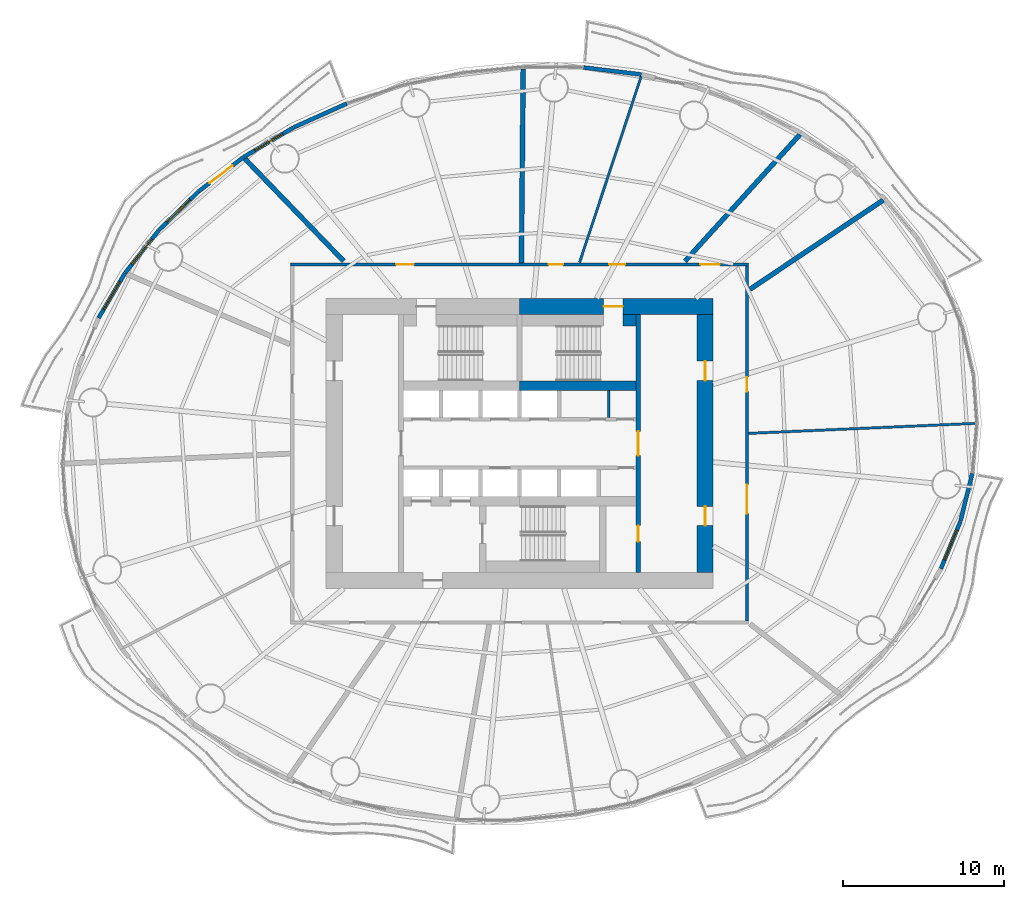
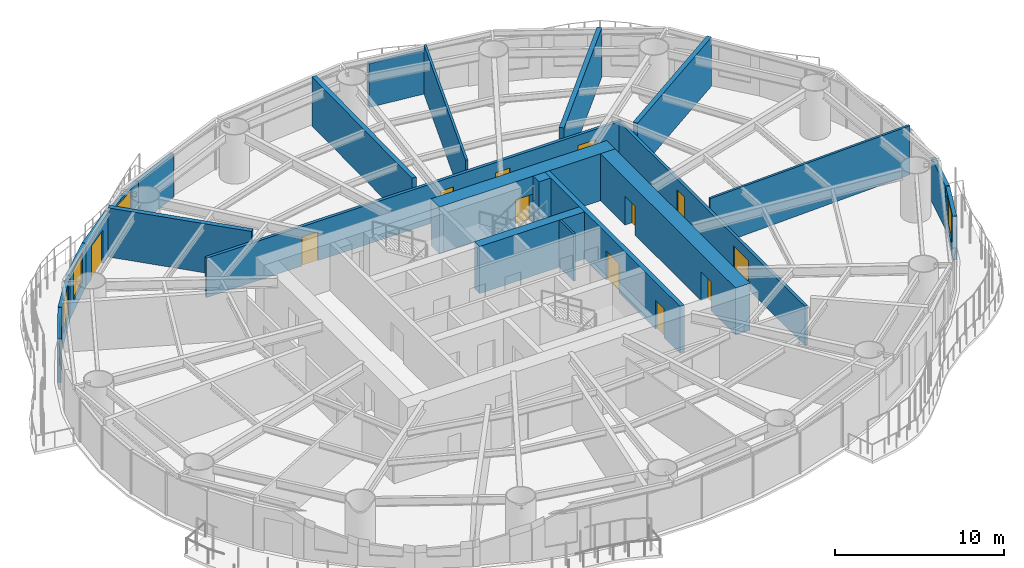
# One storey, part 10 of 16: 23 walls, 12 doors, 5 windows, 17 openings.
"""IFC4 building model written with IfcOpenShell, lengths in metres."""

from ifc_helpers import new_model, si_unit, direction, frame, frame_2d, origin, place, context, subcontext, project, spatial, rectangle, extrude, material, layer, layer_set, type_object, element, fill, save


model = new_model("IFC4")

# Units and contexts
model_context = context("Model", 3, precision=1e-05, world=origin(), true_north=direction((0.0, 1.0)))
body_context = subcontext(model_context, "Body", "Model", "MODEL_VIEW")
ifc_project = project(units=[si_unit("LENGTHUNIT", "METRE"), si_unit("AREAUNIT", "SQUARE_METRE"), si_unit("VOLUMEUNIT", "CUBIC_METRE"), si_unit("PLANEANGLEUNIT", "RADIAN"), si_unit("MASSUNIT", "GRAM", prefix="KILO")], contexts=[model_context])

# Site, building, storey
site_placement = place(None, origin())
site = spatial("IfcSite", under=ifc_project, at=site_placement, CompositionType="ELEMENT")
building_placement = place(site_placement, origin())
building = spatial("IfcBuilding", under=site, at=building_placement, Name="Vermilion Reach Broadcast Tower", CompositionType="ELEMENT")
storey_placement = place(building_placement, frame((0.0, 0.0, 69.300048828125)))
storey = spatial("IfcBuildingStorey", under=building, at=storey_placement, Name="L14", CompositionType="ELEMENT", Elevation=69.300048828125)

# Wall, openings, doors
ifc_material_1 = material(Name="Concrete C70", Category="concrete")
ifc_layer_1 = layer(ifc_material_1, 0.300048828125)
ifc_layer_set_1 = layer_set([ifc_layer_1], Name="Core inner wall 300 mm Concrete C70")
wall_type_1 = type_object("IfcWallType", Name="Core inner wall 300 mm Concrete C70", PredefinedType="SHEAR", material=ifc_layer_set_1)
wall_1_placement = place(storey_placement, frame((1.35009765625, -8.0, 0.0), z_axis=(0.0, 0.0, 1.0), x_axis=(0.0, 1.0, 0.0)))
wall_1 = element("IfcWall", 1, at=wall_1_placement, inside=storey, type_object=wall_type_1, Name="L14 core wall ewE", PredefinedType="SHEAR", context=body_context, shape_type="SweptSolid", body=[
    extrude(rectangle(XDim=16.0, YDim=0.300048828125, at=frame_2d((8.0, 0.0))), origin(), (0.0, 0.0, 1.0), 3.39990234375),
])
opening_1_placement = place(wall_1_placement, frame((1.909912109375, 0.0, 0.0)))
opening_1 = element("IfcOpeningElement", 2, at=opening_1_placement, cuts=wall_1, Name="Opening D05", PredefinedType="OPENING", context=body_context, shape_type="SweptSolid", body=[
    extrude(rectangle(XDim=1.0, YDim=2.10009765625, at=frame_2d((0.5, 1.050048828125))), frame((0.0, 0.159912109375, 0.0), z_axis=(0.0, -1.0, 0.0), x_axis=(1.0, 0.0, 0.0)), (0.0, 0.0, 1.0), 0.320068359375),
])
opening_2_placement = place(wall_1_placement, frame((7.25, 0.0, 0.0)))
opening_2 = element("IfcOpeningElement", 3, at=opening_2_placement, cuts=wall_1, Name="Opening D04", PredefinedType="OPENING", context=body_context, shape_type="SweptSolid", body=[
    extrude(rectangle(XDim=1.5, YDim=2.10009765625, at=frame_2d((0.75, 1.050048828125))), frame((0.0, 0.159912109375, 0.0), z_axis=(0.0, -1.0, 0.0), x_axis=(1.0, 0.0, 0.0)), (0.0, 0.0, 1.0), 0.320068359375),
])
ifc_material_2 = material(Name="Painted steel fire door", Category="steel")
door_type_1 = type_object("IfcDoorType", Name="Lift lobby door 1500 x 2100", OperationType="DOUBLE_DOOR_SINGLE_SWING", PredefinedType="NOTDEFINED", material=ifc_material_2)
door_1_placement = place(opening_2_placement, origin())
door_1 = element("IfcDoor", 4, at=door_1_placement, inside=storey, type_object=door_type_1, Name="L14 band door BE", OperationType="DOUBLE_DOOR_SINGLE_SWING", OverallHeight=2.10009765625, OverallWidth=1.5, PredefinedType="NOTDEFINED", context=body_context, shape_type="SweptSolid", body=[
    extrude(rectangle(XDim=1.5, YDim=2.10009765625, at=frame_2d((0.75, 1.050048828125))), frame((0.0, 0.02490234375, 0.0), z_axis=(0.0, -1.0, 0.0), x_axis=(1.0, 0.0, 0.0)), (0.0, 0.0, 1.0), 0.050048828125),
])
fill(opening_2, door_1)
ifc_material_3 = material(Name="Timber door", Category="wood")
door_type_2 = type_object("IfcDoorType", Name="Room door 1000 x 2100", OperationType="NOTDEFINED", PredefinedType="NOTDEFINED", material=ifc_material_3)
door_2_placement = place(opening_1_placement, origin())
door_2 = element("IfcDoor", 5, at=door_2_placement, inside=storey, type_object=door_type_2, Name="L14 door SER", OperationType="SINGLE_SWING_LEFT", OverallHeight=2.10009765625, OverallWidth=1.0, PredefinedType="NOTDEFINED", context=body_context, shape_type="SweptSolid", body=[
    extrude(rectangle(XDim=1.0, YDim=2.10009765625, at=frame_2d((0.5, 1.050048828125))), frame((0.0, 0.02490234375, 0.0), z_axis=(0.0, -1.0, 0.0), x_axis=(1.0, 0.0, 0.0)), (0.0, 0.0, 1.0), 0.050048828125),
])
fill(opening_1, door_2)

# Wall
ifc_material_4 = material(Name="Concrete C70", Category="concrete")
ifc_layer_2 = layer(ifc_material_4, 0.60009765625)
ifc_layer_set_2 = layer_set([ifc_layer_2], Name="Core inner wall 600 mm Concrete C70")
wall_type_2 = type_object("IfcWallType", Name="Core inner wall 600 mm Concrete C70", PredefinedType="SHEAR", material=ifc_layer_set_2)
wall_2_placement = place(storey_placement, frame((-6.0, 3.580078125, 0.0), z_axis=(0.0, 0.0, 1.0), x_axis=(1.0, 0.0, 0.0)))
element("IfcWall", 6, at=wall_2_placement, inside=storey, type_object=wall_type_2, Name="L14 core wall winE", PredefinedType="SHEAR", context=body_context, shape_type="SweptSolid", body=[
    extrude(rectangle(XDim=7.199951171875, YDim=0.60009765625, at=frame_2d((3.60009765625, 0.0))), origin(), (0.0, 0.0, 1.0), 3.39990234375),
])

# Wall, opening, door
ifc_material_5 = material(Name="Concrete C70", Category="concrete")
ifc_layer_3 = layer(ifc_material_5, 1.0)
ifc_layer_set_3 = layer_set([ifc_layer_3], Name="Core outer wall 1000 mm Concrete C70")
wall_type_3 = type_object("IfcWallType", Name="Core outer wall 1000 mm Concrete C70", PredefinedType="SHEAR", material=ifc_layer_set_3)
wall_3_placement = place(storey_placement, frame((6.0, 8.5, 0.0), z_axis=(0.0, 0.0, 1.0), x_axis=(-1.0, 0.0, 0.0)))
wall_3 = element("IfcWall", 7, at=wall_3_placement, inside=storey, type_object=wall_type_3, Name="L14 core wall onE", PredefinedType="SHEAR", context=body_context, shape_type="SweptSolid", body=[
    extrude(rectangle(XDim=12.0, YDim=1.0, at=frame_2d((6.0, 0.0))), origin(), (0.0, 0.0, 1.0), 3.39990234375),
])
opening_3_placement = place(wall_3_placement, frame((5.60009765625, 0.0, 0.0)))
opening_3 = element("IfcOpeningElement", 8, at=opening_3_placement, cuts=wall_3, Name="Opening D01", PredefinedType="OPENING", context=body_context, shape_type="SweptSolid", body=[
    extrude(rectangle(XDim=1.199951171875, YDim=2.10009765625, at=frame_2d((0.60009765625, 1.050048828125))), frame((0.0, 0.510009765625, 0.0), z_axis=(0.0, -1.0, 0.0), x_axis=(1.0, 0.0, 0.0)), (0.0, 0.0, 1.0), 1.02001953125),
])
ifc_material_6 = material(Name="Painted steel fire door", Category="steel")
door_type_3 = type_object("IfcDoorType", Name="Stair door 1200 x 2100", OperationType="DOUBLE_DOOR_SINGLE_SWING", PredefinedType="NOTDEFINED", material=ifc_material_6)
door_3_placement = place(opening_3_placement, origin())
door_3 = element("IfcDoor", 9, at=door_3_placement, inside=storey, type_object=door_type_3, Name="L14 stair door ST2", OperationType="DOUBLE_DOOR_SINGLE_SWING", OverallHeight=2.10009765625, OverallWidth=1.199951171875, PredefinedType="NOTDEFINED", context=body_context, shape_type="SweptSolid", body=[
    extrude(rectangle(XDim=1.199951171875, YDim=2.10009765625, at=frame_2d((0.60009765625, 1.050048828125))), frame((0.0, 0.02490234375, 0.0), z_axis=(0.0, -1.0, 0.0), x_axis=(1.0, 0.0, 0.0)), (0.0, 0.0, 1.0), 0.050048828125),
])
fill(opening_3, door_3)

# Wall, openings, doors
wall_4_placement = place(storey_placement, frame((5.5, -8.0, 0.0), z_axis=(0.0, 0.0, 1.0), x_axis=(0.0, 1.0, 0.0)))
wall_4 = element("IfcWall", 10, at=wall_4_placement, inside=storey, type_object=wall_type_3, Name="L14 core wall oe", PredefinedType="SHEAR", context=body_context, shape_type="SweptSolid", body=[
    extrude(rectangle(XDim=16.0, YDim=1.0, at=frame_2d((8.0, 0.0))), origin(), (0.0, 0.0, 1.0), 3.39990234375),
])
opening_4_placement = place(wall_4_placement, frame((2.89990234375, 0.0, 0.0)))
opening_4 = element("IfcOpeningElement", 11, at=opening_4_placement, cuts=wall_4, Name="Opening D03", PredefinedType="OPENING", context=body_context, shape_type="SweptSolid", body=[
    extrude(rectangle(XDim=1.199951171875, YDim=2.10009765625, at=frame_2d((0.60009765625, 1.050048828125))), frame((0.0, 0.510009765625, 0.0), z_axis=(0.0, -1.0, 0.0), x_axis=(1.0, 0.0, 0.0)), (0.0, 0.0, 1.0), 1.02001953125),
])
opening_5_placement = place(wall_4_placement, frame((11.89990234375, 0.0, 0.0)))
opening_5 = element("IfcOpeningElement", 12, at=opening_5_placement, cuts=wall_4, Name="Opening D03", PredefinedType="OPENING", context=body_context, shape_type="SweptSolid", body=[
    extrude(rectangle(XDim=1.199951171875, YDim=2.10009765625, at=frame_2d((0.60009765625, 1.050048828125))), frame((0.0, 0.510009765625, 0.0), z_axis=(0.0, -1.0, 0.0), x_axis=(1.0, 0.0, 0.0)), (0.0, 0.0, 1.0), 1.02001953125),
])
ifc_material_7 = material(Name="Painted steel fire door", Category="steel")
door_type_4 = type_object("IfcDoorType", Name="Core lobby door 1200 x 2100", OperationType="DOUBLE_DOOR_SINGLE_SWING", PredefinedType="NOTDEFINED", material=ifc_material_7)
door_4_placement = place(opening_4_placement, origin())
door_4 = element("IfcDoor", 13, at=door_4_placement, inside=storey, type_object=door_type_4, Name="L14 slot door E0", OperationType="DOUBLE_DOOR_SINGLE_SWING", OverallHeight=2.10009765625, OverallWidth=1.199951171875, PredefinedType="NOTDEFINED", context=body_context, shape_type="SweptSolid", body=[
    extrude(rectangle(XDim=1.199951171875, YDim=2.10009765625, at=frame_2d((0.60009765625, 1.050048828125))), frame((0.0, 0.02490234375, 0.0), z_axis=(0.0, -1.0, 0.0), x_axis=(1.0, 0.0, 0.0)), (0.0, 0.0, 1.0), 0.050048828125),
])
fill(opening_4, door_4)
door_5_placement = place(opening_5_placement, origin())
door_5 = element("IfcDoor", 14, at=door_5_placement, inside=storey, type_object=door_type_4, Name="L14 slot door E1", OperationType="DOUBLE_DOOR_SINGLE_SWING", OverallHeight=2.10009765625, OverallWidth=1.199951171875, PredefinedType="NOTDEFINED", context=body_context, shape_type="SweptSolid", body=[
    extrude(rectangle(XDim=1.199951171875, YDim=2.10009765625, at=frame_2d((0.60009765625, 1.050048828125))), frame((0.0, 0.02490234375, 0.0), z_axis=(0.0, -1.0, 0.0), x_axis=(1.0, 0.0, 0.0)), (0.0, 0.0, 1.0), 0.050048828125),
])
fill(opening_5, door_5)

# Walls
ifc_material_8 = material(Name="Masonry block", Category="masonry")
ifc_layer_4 = layer(ifc_material_8, 0.14990234375)
ifc_layer_set_4 = layer_set([ifc_layer_4], Name="Core partition wall 150 mm Masonry block")
wall_type_4 = type_object("IfcWallType", Name="Core partition wall 150 mm Masonry block", PredefinedType="PARTITIONING", material=ifc_layer_set_4)
wall_5_placement = place(storey_placement, frame((-0.468017578125, 1.60009765625, 0.0), z_axis=(0.0, 0.0, 1.0), x_axis=(0.0, 1.0, 0.0)))
element("IfcWall", 15, at=wall_5_placement, inside=storey, type_object=wall_type_4, Name="L14 core wall prN5532", PredefinedType="PARTITIONING", context=body_context, shape_type="SweptSolid", body=[
    extrude(rectangle(XDim=1.679931640625, YDim=0.14990234375, at=frame_2d((0.83984375, 0.0))), origin(), (0.0, 0.0, 1.0), 3.39990234375),
])
ifc_material_9 = material(Name="Concrete C70", Category="concrete")
ifc_layer_5 = layer(ifc_material_9, 0.699951171875)
ifc_layer_set_5 = layer_set([ifc_layer_5], Name="Core stair wall 700 mm Concrete C70")
wall_type_5 = type_object("IfcWallType", Name="Core stair wall 700 mm Concrete C70", PredefinedType="SHEAR", material=ifc_layer_set_5)
wall_6_placement = place(storey_placement, frame((0.39990234375, 7.64990234375, 0.0), z_axis=(0.0, 0.0, 1.0), x_axis=(1.0, 0.0, 0.0)))
element("IfcWall", 16, at=wall_6_placement, inside=storey, type_object=wall_type_5, Name="L14 core wall l2b", PredefinedType="SHEAR", context=body_context, shape_type="SweptSolid", body=[
    extrude(rectangle(XDim=0.800048828125, YDim=0.699951171875, at=frame_2d((0.39990234375, 0.0))), origin(), (0.0, 0.0, 1.0), 3.39990234375),
])
ifc_material_10 = material(Name="Lightweight concrete block, plastered", Category="concrete")
ifc_layer_6 = layer(ifc_material_10, 0.14990234375)
ifc_layer_set_6 = layer_set([ifc_layer_6], Name="Partition 150 lightweight block")
wall_type_6 = type_object("IfcWallType", Name="Partition 150 lightweight block", PredefinedType="PARTITIONING", material=ifc_layer_set_6)
wall_7_placement = place(storey_placement, frame((1.53369140625, 22.755615234375, 0.0), z_axis=(0.0, 0.0, 1.0), x_axis=(-0.314291675753, -0.949326467846, 0.0)))
element("IfcWall", 17, at=wall_7_placement, inside=storey, type_object=wall_type_6, Name="Partition 14.03", PredefinedType="PARTITIONING", context=body_context, shape_type="SweptSolid", body=[
    extrude(rectangle(XDim=12.1474609375, YDim=0.14990234375, at=frame_2d((6.07373046875, 0.0))), origin(), (0.0, 0.0, 1.0), 3.550048828125),
])
wall_8_placement = place(storey_placement, frame((22.220703125, 1.24560546875, 0.0), z_axis=(0.0, 0.0, 1.0), x_axis=(-0.999027479897, -0.044091885989, 0.0)))
element("IfcWall", 18, at=wall_8_placement, inside=storey, type_object=wall_type_6, Name="Partition 14.14", PredefinedType="PARTITIONING", context=body_context, shape_type="SweptSolid", body=[
    extrude(rectangle(XDim=14.031005859375, YDim=0.14990234375, at=frame_2d((7.015625, 0.0))), origin(), (0.0, 0.0, 1.0), 3.550048828125),
])
ifc_material_11 = material(Name="Double-leaf plasterboard on isolated steel stud", Category="steel")
ifc_layer_7 = layer(ifc_material_11, 0.300048828125)
ifc_layer_set_7 = layer_set([ifc_layer_7], Name="Partition 300 acoustic double leaf")
wall_type_7 = type_object("IfcWallType", Name="Partition 300 acoustic double leaf", PredefinedType="PARTITIONING", material=ifc_layer_set_7)
wall_9_placement = place(storey_placement, frame((16.5419921875, 15.09375, 0.0), z_axis=(0.0, 0.0, 1.0), x_axis=(-0.830929990922, -0.556376985673, 0.0)))
element("IfcWall", 19, at=wall_9_placement, inside=storey, type_object=wall_type_7, Name="Partition 14.01", PredefinedType="PARTITIONING", context=body_context, shape_type="SweptSolid", body=[
    extrude(rectangle(XDim=9.93896484375, YDim=0.300048828125, at=frame_2d((4.969482421875, 0.0))), origin(), (0.0, 0.0, 1.0), 3.550048828125),
])
wall_10_placement = place(storey_placement, frame((11.381103515625, 19.160400390625, 0.0), z_axis=(0.0, 0.0, 1.0), x_axis=(-0.671886856771, -0.740653800165, 0.0)))
element("IfcWall", 20, at=wall_10_placement, inside=storey, type_object=wall_type_7, Name="Partition 14.02", PredefinedType="PARTITIONING", context=body_context, shape_type="SweptSolid", body=[
    extrude(rectangle(XDim=10.61181640625, YDim=0.300048828125, at=frame_2d((5.305908203125, 0.0))), origin(), (0.0, 0.0, 1.0), 3.550048828125),
])
wall_11_placement = place(storey_placement, frame((-5.780517578125, 23.234130859375, 0.0), z_axis=(0.0, 0.0, 1.0), x_axis=(-0.009434308031, -0.999955495926, 0.0)))
element("IfcWall", 21, at=wall_11_placement, inside=storey, type_object=wall_type_7, Name="Partition 14.04", PredefinedType="PARTITIONING", context=body_context, shape_type="SweptSolid", body=[
    extrude(rectangle(XDim=12.033203125, YDim=0.300048828125, at=frame_2d((6.0166015625, 0.0))), origin(), (0.0, 0.0, 1.0), 3.550048828125),
])
wall_12_placement = place(storey_placement, frame((-23.041259765625, 17.6611328125, 0.0), z_axis=(0.0, 0.0, 1.0), x_axis=(0.694363649844, -0.719624292097, 0.0)))
element("IfcWall", 22, at=wall_12_placement, inside=storey, type_object=wall_type_7, Name="Partition 14.05", PredefinedType="PARTITIONING", context=body_context, shape_type="SweptSolid", body=[
    extrude(rectangle(XDim=8.833740234375, YDim=0.300048828125, at=frame_2d((4.4169921875, 0.0))), origin(), (0.0, 0.0, 1.0), 3.550048828125),
])
ifc_material_12 = material(Name="Terracotta rainscreen cladding", Category="masonry")
ifc_layer_8 = layer(ifc_material_12, 0.25)
ifc_layer_set_8 = layer_set([ifc_layer_8], Name="Terracotta rainscreen wall 250")
wall_type_8 = type_object("IfcWallType", Name="Terracotta rainscreen wall 250", PredefinedType="SOLIDWALL", material=ifc_layer_set_8)
for number, where, z_axis, x_axis, name in (
    (23, (1.544677734375, 22.880126953125, 0.0), (0.0, 0.0, 1.0), (-0.992750723447, 0.120191518405, 0.0), "External wall L14 09"),
    (24, (-16.718994140625, 21.080078125, 0.0), (0.0, 0.0, 1.0), (-0.912212078045, -0.409718347977, 0.0), "External wall L14 14"),
):
    element("IfcWall", number, at=place(storey_placement, frame(where, z_axis=z_axis, x_axis=x_axis)), inside=storey, type_object=wall_type_8, Name=name, PredefinedType="SOLIDWALL", context=body_context, shape_type="SweptSolid", body=[
        extrude(rectangle(XDim=3.597412109375, YDim=0.25, at=frame_2d((1.798828125, 0.0))), origin(), (0.0, 0.0, 1.0), 3.14990234375),
    ])

# Wall, opening, window
wall_13_placement = place(storey_placement, frame((-20.02001953125, 19.59619140625, 0.0), z_axis=(0.0, 0.0, 1.0), x_axis=(-0.860342460641, -0.509716441188, 0.0)))
wall_13 = element("IfcWall", 25, at=wall_13_placement, inside=storey, type_object=wall_type_8, Name="External wall L14 15", PredefinedType="SOLIDWALL", context=body_context, shape_type="SweptSolid", body=[
    extrude(rectangle(XDim=3.581787109375, YDim=0.25, at=frame_2d((1.791015625, 0.0))), origin(), (0.0, 0.0, 1.0), 3.14990234375),
])
opening_6_placement = place(wall_13_placement, frame((0.790771484375, 0.0, 0.800048828125)))
opening_6 = element("IfcOpeningElement", 26, at=opening_6_placement, cuts=wall_13, Name="Opening W01", PredefinedType="OPENING", context=body_context, shape_type="SweptSolid", body=[
    extrude(rectangle(XDim=2.0, YDim=2.199951171875, at=frame_2d((1.0, 1.10009765625))), frame((0.0, 0.135009765625, 0.0), z_axis=(0.0, -1.0, 0.0), x_axis=(1.0, 0.0, 0.0)), (0.0, 0.0, 1.0), 0.27001953125),
])
ifc_material_13 = material(Name="Low-e laminated clear glass in aluminium frame", Category="aluminium")
window_type = type_object("IfcWindowType", Name="Punched window 2000 x 2200 sill 800", PartitioningType="SINGLE_PANEL", PredefinedType="WINDOW", material=ifc_material_13)
window_1_placement = place(opening_6_placement, origin())
window_1 = element("IfcWindow", 27, at=window_1_placement, inside=storey, type_object=window_type, Name="Window L14 15", OverallHeight=2.199951171875, OverallWidth=2.0, PartitioningType="SINGLE_PANEL", PredefinedType="WINDOW", context=body_context, shape_type="SweptSolid", body=[
    extrude(rectangle(XDim=2.0, YDim=2.199951171875, at=frame_2d((1.0, 1.10009765625))), frame((0.0, 0.030029296875, 0.0), z_axis=(0.0, -1.0, 0.0), x_axis=(1.0, 0.0, 0.0)), (0.0, 0.0, 1.0), 0.06005859375),
])
fill(opening_6, window_1)

# Wall, opening, door
wall_14_placement = place(storey_placement, frame((-23.1201171875, 17.758056640625, 0.0), z_axis=(0.0, 0.0, 1.0), x_axis=(-0.795035183211, -0.60656331694, 0.0)))
wall_14 = element("IfcWall", 28, at=wall_14_placement, inside=storey, type_object=wall_type_8, Name="External wall L14 16", PredefinedType="SOLIDWALL", context=body_context, shape_type="SweptSolid", body=[
    extrude(rectangle(XDim=3.506591796875, YDim=0.25, at=frame_2d((1.75341796875, 0.0))), origin(), (0.0, 0.0, 1.0), 3.14990234375),
])
opening_7_placement = place(wall_14_placement, frame((0.85302734375, 0.0, 0.0)))
opening_7 = element("IfcOpeningElement", 29, at=opening_7_placement, cuts=wall_14, Name="Opening D70", PredefinedType="OPENING", context=body_context, shape_type="SweptSolid", body=[
    extrude(rectangle(XDim=1.800048828125, YDim=2.39990234375, at=frame_2d((0.89990234375, 1.199951171875))), frame((0.0, 0.135009765625, 0.0), z_axis=(0.0, -1.0, 0.0), x_axis=(1.0, 0.0, 0.0)), (0.0, 0.0, 1.0), 0.27001953125),
])
ifc_material_14 = material(Name="Low-e laminated clear glass in aluminium frame", Category="aluminium")
door_type_5 = type_object("IfcDoorType", Name="Balcony sliding door 1800 x 2400", OperationType="DOUBLE_DOOR_SLIDING", PredefinedType="DOOR", material=ifc_material_14)
door_6_placement = place(opening_7_placement, origin())
door_6 = element("IfcDoor", 30, at=door_6_placement, inside=storey, type_object=door_type_5, Name="Balcony door L14 run 04", OperationType="DOUBLE_DOOR_SLIDING", OverallHeight=2.39990234375, OverallWidth=1.800048828125, PredefinedType="DOOR", context=body_context, shape_type="SweptSolid", body=[
    extrude(rectangle(XDim=1.800048828125, YDim=2.39990234375, at=frame_2d((0.89990234375, 1.199951171875))), frame((0.0, 0.02490234375, 0.0), z_axis=(0.0, -1.0, 0.0), x_axis=(1.0, 0.0, 0.0)), (0.0, 0.0, 1.0), 0.050048828125),
])
fill(opening_7, door_6)

# Wall, opening, window
wall_15_placement = place(storey_placement, frame((-25.925537109375, 15.61572265625, 0.0), z_axis=(0.0, 0.0, 1.0), x_axis=(-0.715230982257, -0.698888147001, 0.0)))
wall_15 = element("IfcWall", 31, at=wall_15_placement, inside=storey, type_object=wall_type_8, Name="External wall L14 17", PredefinedType="SOLIDWALL", context=body_context, shape_type="SweptSolid", body=[
    extrude(rectangle(XDim=3.4208984375, YDim=0.25, at=frame_2d((1.71044921875, 0.0))), origin(), (0.0, 0.0, 1.0), 3.14990234375),
])
opening_8_placement = place(wall_15_placement, frame((0.71044921875, 0.0, 0.800048828125)))
opening_8 = element("IfcOpeningElement", 32, at=opening_8_placement, cuts=wall_15, Name="Opening W01", PredefinedType="OPENING", context=body_context, shape_type="SweptSolid", body=[
    extrude(rectangle(XDim=2.0, YDim=2.199951171875, at=frame_2d((1.0, 1.10009765625))), frame((0.0, 0.135009765625, 0.0), z_axis=(0.0, -1.0, 0.0), x_axis=(1.0, 0.0, 0.0)), (0.0, 0.0, 1.0), 0.27001953125),
])
window_2_placement = place(opening_8_placement, origin())
window_2 = element("IfcWindow", 33, at=window_2_placement, inside=storey, type_object=window_type, Name="Window L14 17", OverallHeight=2.199951171875, OverallWidth=2.0, PartitioningType="SINGLE_PANEL", PredefinedType="WINDOW", context=body_context, shape_type="SweptSolid", body=[
    extrude(rectangle(XDim=2.0, YDim=2.199951171875, at=frame_2d((1.0, 1.10009765625))), frame((0.0, 0.030029296875, 0.0), z_axis=(0.0, -1.0, 0.0), x_axis=(1.0, 0.0, 0.0)), (0.0, 0.0, 1.0), 0.06005859375),
])
fill(opening_8, window_2)

wall_16_placement = place(storey_placement, frame((-28.38818359375, 13.206787109375, 0.0), z_axis=(0.0, 0.0, 1.0), x_axis=(-0.619836825524, -0.784730724341, 0.0)))
wall_16 = element("IfcWall", 34, at=wall_16_placement, inside=storey, type_object=wall_type_8, Name="External wall L14 18", PredefinedType="SOLIDWALL", context=body_context, shape_type="SweptSolid", body=[
    extrude(rectangle(XDim=3.329833984375, YDim=0.25, at=frame_2d((1.6650390625, 0.0))), origin(), (0.0, 0.0, 1.0), 3.14990234375),
])
opening_9_placement = place(wall_16_placement, frame((0.6650390625, 0.0, 0.800048828125)))
opening_9 = element("IfcOpeningElement", 35, at=opening_9_placement, cuts=wall_16, Name="Opening W01", PredefinedType="OPENING", context=body_context, shape_type="SweptSolid", body=[
    extrude(rectangle(XDim=2.0, YDim=2.199951171875, at=frame_2d((1.0, 1.10009765625))), frame((0.0, 0.135009765625, 0.0), z_axis=(0.0, -1.0, 0.0), x_axis=(1.0, 0.0, 0.0)), (0.0, 0.0, 1.0), 0.27001953125),
])
window_3_placement = place(opening_9_placement, origin())
window_3 = element("IfcWindow", 36, at=window_3_placement, inside=storey, type_object=window_type, Name="Window L14 18", OverallHeight=2.199951171875, OverallWidth=2.0, PartitioningType="SINGLE_PANEL", PredefinedType="WINDOW", context=body_context, shape_type="SweptSolid", body=[
    extrude(rectangle(XDim=2.0, YDim=2.199951171875, at=frame_2d((1.0, 1.10009765625))), frame((0.0, 0.030029296875, 0.0), z_axis=(0.0, -1.0, 0.0), x_axis=(1.0, 0.0, 0.0)), (0.0, 0.0, 1.0), 0.06005859375),
])
fill(opening_9, window_3)

wall_17_placement = place(storey_placement, frame((-30.46630859375, 10.5732421875, 0.0), z_axis=(0.0, 0.0, 1.0), x_axis=(-0.508376359917, -0.861134993295, 0.0)))
wall_17 = element("IfcWall", 37, at=wall_17_placement, inside=storey, type_object=wall_type_8, Name="External wall L14 19", PredefinedType="SOLIDWALL", context=body_context, shape_type="SweptSolid", body=[
    extrude(rectangle(XDim=3.23974609375, YDim=0.25, at=frame_2d((1.619873046875, 0.0))), origin(), (0.0, 0.0, 1.0), 3.14990234375),
])
opening_10_placement = place(wall_17_placement, frame((0.619873046875, 0.0, 0.800048828125)))
opening_10 = element("IfcOpeningElement", 38, at=opening_10_placement, cuts=wall_17, Name="Opening W01", PredefinedType="OPENING", context=body_context, shape_type="SweptSolid", body=[
    extrude(rectangle(XDim=2.0, YDim=2.199951171875, at=frame_2d((1.0, 1.10009765625))), frame((0.0, 0.135009765625, 0.0), z_axis=(0.0, -1.0, 0.0), x_axis=(1.0, 0.0, 0.0)), (0.0, 0.0, 1.0), 0.27001953125),
])
window_4_placement = place(opening_10_placement, origin())
window_4 = element("IfcWindow", 39, at=window_4_placement, inside=storey, type_object=window_type, Name="Window L14 19", OverallHeight=2.199951171875, OverallWidth=2.0, PartitioningType="SINGLE_PANEL", PredefinedType="WINDOW", context=body_context, shape_type="SweptSolid", body=[
    extrude(rectangle(XDim=2.0, YDim=2.199951171875, at=frame_2d((1.0, 1.10009765625))), frame((0.0, 0.030029296875, 0.0), z_axis=(0.0, -1.0, 0.0), x_axis=(1.0, 0.0, 0.0)), (0.0, 0.0, 1.0), 0.06005859375),
])
fill(opening_10, window_4)

wall_18_placement = place(storey_placement, frame((20.124755859375, -7.760498046875, 0.0), z_axis=(0.0, 0.0, 1.0), x_axis=(0.381026005506, 0.924564320709, 0.0)))
wall_18 = element("IfcWall", 40, at=wall_18_placement, inside=storey, type_object=wall_type_8, Name="External wall L14 44", PredefinedType="SOLIDWALL", context=body_context, shape_type="SweptSolid", body=[
    extrude(rectangle(XDim=3.15625, YDim=0.25, at=frame_2d((1.578125, 0.0))), origin(), (0.0, 0.0, 1.0), 3.14990234375),
])
opening_11_placement = place(wall_18_placement, frame((0.578125, 0.0, 0.800048828125)))
opening_11 = element("IfcOpeningElement", 41, at=opening_11_placement, cuts=wall_18, Name="Opening W01", PredefinedType="OPENING", context=body_context, shape_type="SweptSolid", body=[
    extrude(rectangle(XDim=2.0, YDim=2.199951171875, at=frame_2d((1.0, 1.10009765625))), frame((0.0, 0.135009765625, 0.0), z_axis=(0.0, -1.0, 0.0), x_axis=(1.0, 0.0, 0.0)), (0.0, 0.0, 1.0), 0.27001953125),
])
window_5_placement = place(opening_11_placement, origin())
window_5 = element("IfcWindow", 42, at=window_5_placement, inside=storey, type_object=window_type, Name="Window L14 44", OverallHeight=2.199951171875, OverallWidth=2.0, PartitioningType="SINGLE_PANEL", PredefinedType="WINDOW", context=body_context, shape_type="SweptSolid", body=[
    extrude(rectangle(XDim=2.0, YDim=2.199951171875, at=frame_2d((1.0, 1.10009765625))), frame((0.0, 0.030029296875, 0.0), z_axis=(0.0, -1.0, 0.0), x_axis=(1.0, 0.0, 0.0)), (0.0, 0.0, 1.0), 0.06005859375),
])
fill(opening_11, window_5)

# Wall
wall_19_placement = place(storey_placement, frame((21.335693359375, -4.817138671875, 0.0), z_axis=(0.0, 0.0, 1.0), x_axis=(0.239572615753, 0.97087844851, 0.0)))
element("IfcWall", 43, at=wall_19_placement, inside=storey, type_object=wall_type_8, Name="External wall L14 45", PredefinedType="SOLIDWALL", context=body_context, shape_type="SweptSolid", body=[
    extrude(rectangle(XDim=3.044921875, YDim=0.25, at=frame_2d((1.5224609375, 0.0))), origin(), (0.0, 0.0, 1.0), 3.14990234375),
])

# Wall, openings, doors
ifc_material_15 = material(Name="Fire-rated gypsum board partition")
ifc_layer_9 = layer(ifc_material_15, 0.199951171875)
ifc_layer_set_9 = layer_set([ifc_layer_9], Name="Under girder: Corridor wall 200 fire-rated")
wall_type_9 = type_object("IfcWallType", Name="Under girder: Corridor wall 200 fire-rated", PredefinedType="PARTITIONING", material=ifc_layer_set_9)
wall_20_placement = place(storey_placement, frame((-20.199951171875, 11.10009765625, 0.0), z_axis=(0.0, 0.0, 1.0), x_axis=(1.0, 0.0, 0.0)))
wall_20 = element("IfcWall", 44, at=wall_20_placement, inside=storey, type_object=wall_type_9, Name="Corridor wall 14.N", PredefinedType="PARTITIONING", context=body_context, shape_type="SweptSolid", body=[
    extrude(rectangle(XDim=28.39990234375, YDim=0.199951171875, at=frame_2d((14.199951171875, 0.0))), origin(), (0.0, 0.0, 1.0), 2.849853515625),
])
opening_12_placement = place(wall_20_placement, frame((25.411865234375, 0.0, 0.0)))
opening_12 = element("IfcOpeningElement", 45, at=opening_12_placement, cuts=wall_20, Name="Opening D26", PredefinedType="OPENING", context=body_context, shape_type="SweptSolid", body=[
    extrude(rectangle(XDim=1.199951171875, YDim=2.10009765625, at=frame_2d((0.60009765625, 1.050048828125))), frame((0.0, 0.10986328125, 0.0), z_axis=(0.0, -1.0, 0.0), x_axis=(1.0, 0.0, 0.0)), (0.0, 0.0, 1.0), 0.219970703125),
])
opening_13_placement = place(wall_20_placement, frame((19.74365234375, 0.0, 0.0)))
opening_13 = element("IfcOpeningElement", 46, at=opening_13_placement, cuts=wall_20, Name="Opening D20", PredefinedType="OPENING", context=body_context, shape_type="SweptSolid", body=[
    extrude(rectangle(XDim=1.0, YDim=2.10009765625, at=frame_2d((0.5, 1.050048828125))), frame((0.0, 0.10986328125, 0.0), z_axis=(0.0, -1.0, 0.0), x_axis=(1.0, 0.0, 0.0)), (0.0, 0.0, 1.0), 0.219970703125),
])
opening_14_placement = place(wall_20_placement, frame((15.997314453125, 0.0, 0.0)))
opening_14 = element("IfcOpeningElement", 47, at=opening_14_placement, cuts=wall_20, Name="Opening D22", PredefinedType="OPENING", context=body_context, shape_type="SweptSolid", body=[
    extrude(rectangle(XDim=0.89990234375, YDim=2.10009765625, at=frame_2d((0.449951171875, 1.050048828125))), frame((0.0, 0.10986328125, 0.0), z_axis=(0.0, -1.0, 0.0), x_axis=(1.0, 0.0, 0.0)), (0.0, 0.0, 1.0), 0.219970703125),
])
opening_15_placement = place(wall_20_placement, frame((6.536865234375, 0.0, 0.0)))
opening_15 = element("IfcOpeningElement", 48, at=opening_15_placement, cuts=wall_20, Name="Opening D28", PredefinedType="OPENING", context=body_context, shape_type="SweptSolid", body=[
    extrude(rectangle(XDim=1.10009765625, YDim=2.10009765625, at=frame_2d((0.550048828125, 1.050048828125))), frame((0.0, 0.10986328125, 0.0), z_axis=(0.0, -1.0, 0.0), x_axis=(1.0, 0.0, 0.0)), (0.0, 0.0, 1.0), 0.219970703125),
])
ifc_material_16 = material(Name="Timber door leaf", Category="wood")
door_type_6 = type_object("IfcDoorType", Name="Door single 1000x2100", OperationType="NOTDEFINED", PredefinedType="DOOR", material=ifc_material_16)
door_7_placement = place(opening_13_placement, origin())
door_7 = element("IfcDoor", 49, at=door_7_placement, inside=storey, type_object=door_type_6, Name="Door 14.02", OperationType="SINGLE_SWING_LEFT", OverallHeight=2.10009765625, OverallWidth=1.0, PredefinedType="DOOR", context=body_context, shape_type="SweptSolid", body=[
    extrude(rectangle(XDim=1.0, YDim=2.10009765625, at=frame_2d((0.5, 1.050048828125))), frame((0.0, 0.02490234375, 0.0), z_axis=(0.0, -1.0, 0.0), x_axis=(1.0, 0.0, 0.0)), (0.0, 0.0, 1.0), 0.050048828125),
])
fill(opening_13, door_7)
ifc_material_17 = material(Name="Acoustic sound-lock door leaf")
door_type_7 = type_object("IfcDoorType", Name="Door single 1100x2100", OperationType="NOTDEFINED", PredefinedType="DOOR", material=ifc_material_17)
door_8_placement = place(opening_15_placement, origin())
door_8 = element("IfcDoor", 50, at=door_8_placement, inside=storey, type_object=door_type_7, Name="Door 14.04", OperationType="SINGLE_SWING_LEFT", OverallHeight=2.10009765625, OverallWidth=1.10009765625, PredefinedType="DOOR", context=body_context, shape_type="SweptSolid", body=[
    extrude(rectangle(XDim=1.10009765625, YDim=2.10009765625, at=frame_2d((0.550048828125, 1.050048828125))), frame((0.0, 0.02490234375, 0.0), z_axis=(0.0, -1.0, 0.0), x_axis=(1.0, 0.0, 0.0)), (0.0, 0.0, 1.0), 0.050048828125),
])
fill(opening_15, door_8)
ifc_material_18 = material(Name="Acoustic timber door leaf", Category="wood")
door_type_8 = type_object("IfcDoorType", Name="Door single 1200x2100", OperationType="NOTDEFINED", PredefinedType="DOOR", material=ifc_material_18)
door_9_placement = place(opening_12_placement, origin())
door_9 = element("IfcDoor", 51, at=door_9_placement, inside=storey, type_object=door_type_8, Name="Door 14.01", OperationType="SINGLE_SWING_LEFT", OverallHeight=2.10009765625, OverallWidth=1.199951171875, PredefinedType="DOOR", context=body_context, shape_type="SweptSolid", body=[
    extrude(rectangle(XDim=1.199951171875, YDim=2.10009765625, at=frame_2d((0.60009765625, 1.050048828125))), frame((0.0, 0.02490234375, 0.0), z_axis=(0.0, -1.0, 0.0), x_axis=(1.0, 0.0, 0.0)), (0.0, 0.0, 1.0), 0.050048828125),
])
fill(opening_12, door_9)
ifc_material_19 = material(Name="Timber door leaf", Category="wood")
door_type_9 = type_object("IfcDoorType", Name="Door single 900x2100", OperationType="NOTDEFINED", PredefinedType="DOOR", material=ifc_material_19)
door_10_placement = place(opening_14_placement, origin())
door_10 = element("IfcDoor", 52, at=door_10_placement, inside=storey, type_object=door_type_9, Name="Door 14.03", OperationType="SINGLE_SWING_RIGHT", OverallHeight=2.10009765625, OverallWidth=0.89990234375, PredefinedType="DOOR", context=body_context, shape_type="SweptSolid", body=[
    extrude(rectangle(XDim=0.89990234375, YDim=2.10009765625, at=frame_2d((0.449951171875, 1.050048828125))), frame((0.0, 0.02490234375, 0.0), z_axis=(0.0, -1.0, 0.0), x_axis=(1.0, 0.0, 0.0)), (0.0, 0.0, 1.0), 0.050048828125),
])
fill(opening_14, door_10)

wall_21_placement = place(storey_placement, frame((8.10009765625, 11.0, 0.0), z_axis=(0.0, 0.0, 1.0), x_axis=(0.0, -1.0, 0.0)))
wall_21 = element("IfcWall", 53, at=wall_21_placement, inside=storey, type_object=wall_type_9, Name="Corridor wall 14.E", PredefinedType="PARTITIONING", context=body_context, shape_type="SweptSolid", body=[
    extrude(rectangle(XDim=22.0, YDim=0.199951171875, at=frame_2d((11.0, 0.0))), origin(), (0.0, 0.0, 1.0), 2.849853515625),
])
opening_16_placement = place(wall_21_placement, frame((13.556396484375, 0.0, 0.0)))
opening_16 = element("IfcOpeningElement", 54, at=opening_16_placement, cuts=wall_21, Name="Opening D21", PredefinedType="OPENING", context=body_context, shape_type="SweptSolid", body=[
    extrude(rectangle(XDim=1.800048828125, YDim=2.10009765625, at=frame_2d((0.89990234375, 1.050048828125))), frame((0.0, 0.10986328125, 0.0), z_axis=(0.0, -1.0, 0.0), x_axis=(1.0, 0.0, 0.0)), (0.0, 0.0, 1.0), 0.219970703125),
])
opening_17_placement = place(wall_21_placement, frame((6.87890625, 0.0, 0.0)))
opening_17 = element("IfcOpeningElement", 55, at=opening_17_placement, cuts=wall_21, Name="Opening D22", PredefinedType="OPENING", context=body_context, shape_type="SweptSolid", body=[
    extrude(rectangle(XDim=0.89990234375, YDim=2.10009765625, at=frame_2d((0.449951171875, 1.050048828125))), frame((0.0, 0.10986328125, 0.0), z_axis=(0.0, -1.0, 0.0), x_axis=(1.0, 0.0, 0.0)), (0.0, 0.0, 1.0), 0.219970703125),
])
ifc_material_20 = material(Name="Timber door leaf", Category="wood")
door_type_10 = type_object("IfcDoorType", Name="Door pair 1800x2100", OperationType="NOTDEFINED", PredefinedType="DOOR", material=ifc_material_20)
door_11_placement = place(opening_16_placement, origin())
door_11 = element("IfcDoor", 56, at=door_11_placement, inside=storey, type_object=door_type_10, Name="Door 14.13", OperationType="DOUBLE_DOOR_SINGLE_SWING", OverallHeight=2.10009765625, OverallWidth=1.800048828125, PredefinedType="DOOR", context=body_context, shape_type="SweptSolid", body=[
    extrude(rectangle(XDim=1.800048828125, YDim=2.10009765625, at=frame_2d((0.89990234375, 1.050048828125))), frame((0.0, 0.02490234375, 0.0), z_axis=(0.0, -1.0, 0.0), x_axis=(1.0, 0.0, 0.0)), (0.0, 0.0, 1.0), 0.050048828125),
])
fill(opening_16, door_11)
door_12_placement = place(opening_17_placement, origin())
door_12 = element("IfcDoor", 57, at=door_12_placement, inside=storey, type_object=door_type_9, Name="Door 14.14", OperationType="SINGLE_SWING_RIGHT", OverallHeight=2.10009765625, OverallWidth=0.89990234375, PredefinedType="DOOR", context=body_context, shape_type="SweptSolid", body=[
    extrude(rectangle(XDim=0.89990234375, YDim=2.10009765625, at=frame_2d((0.449951171875, 1.050048828125))), frame((0.0, 0.02490234375, 0.0), z_axis=(0.0, -1.0, 0.0), x_axis=(1.0, 0.0, 0.0)), (0.0, 0.0, 1.0), 0.050048828125),
])
fill(opening_17, door_12)

save(model, "model.ifc")
